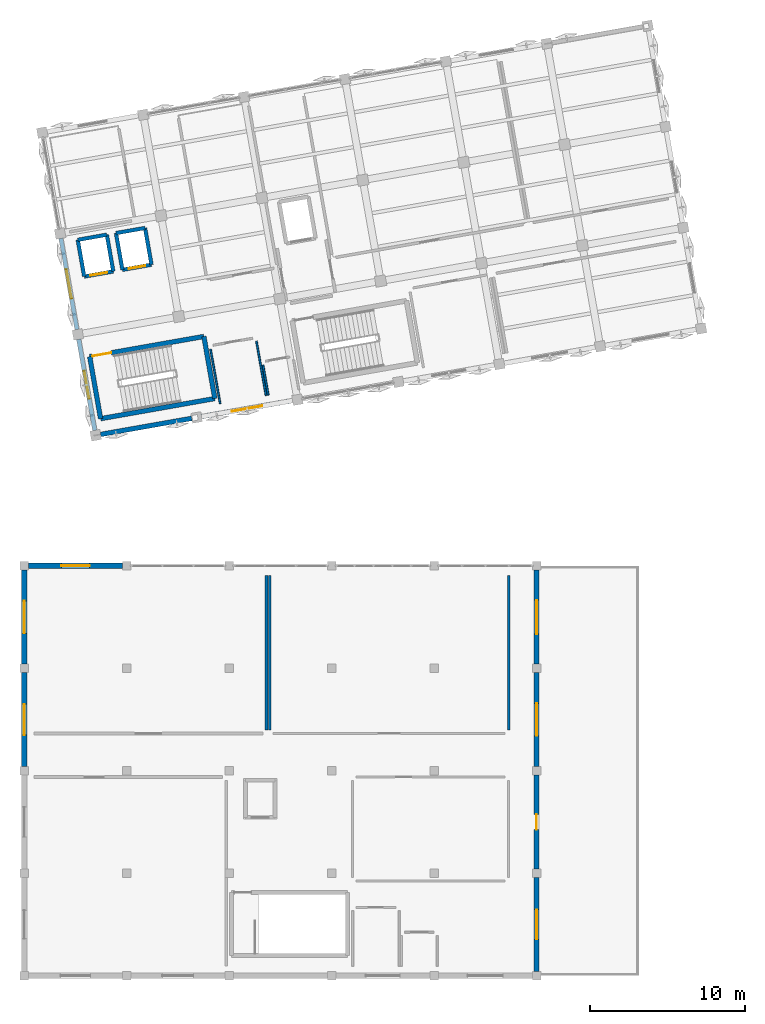
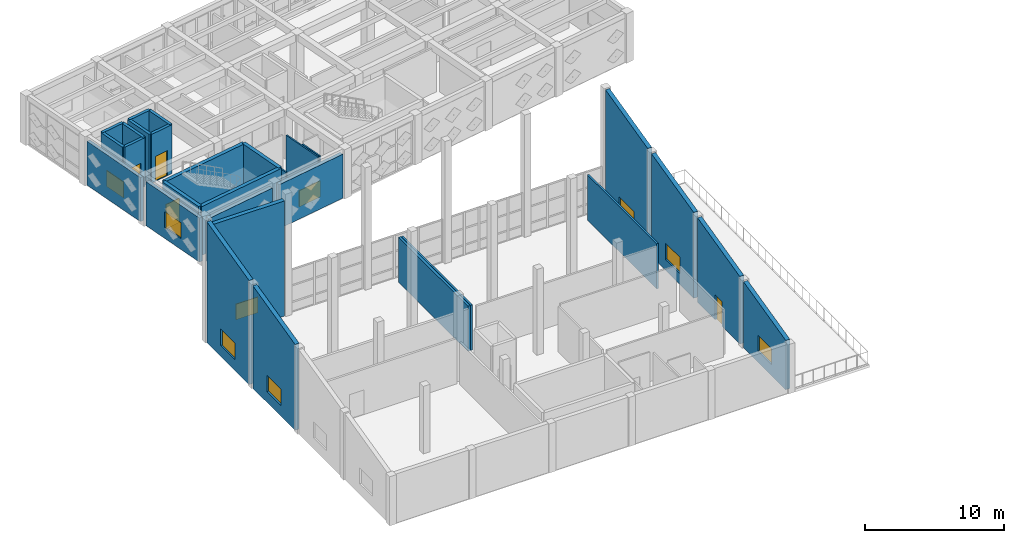
# One storey, part 28 of 39: 29 walls, 9 windows, 4 doors, 13 openings.
"""IFC4 building model written with IfcOpenShell, lengths in metres."""

from ifc_helpers import new_model, si_unit, direction, frame, frame_2d, origin, place, context, subcontext, project, spatial, polyline, rectangle, outline, extrude, material, layer, layer_set, type_object, element, fill, save


model = new_model("IFC4")

# Units and contexts
model_context = context("Model", 3, precision=1e-05, world=origin(), true_north=direction((0.0, 1.0)))
body_context = subcontext(model_context, "Body", "Model", "MODEL_VIEW")
ifc_project = project(units=[si_unit("LENGTHUNIT", "METRE"), si_unit("AREAUNIT", "SQUARE_METRE"), si_unit("VOLUMEUNIT", "CUBIC_METRE"), si_unit("PLANEANGLEUNIT", "RADIAN"), si_unit("MASSUNIT", "GRAM", prefix="KILO")], contexts=[model_context])

# Site, building, storey
site_placement = place(None, origin())
site = spatial("IfcSite", under=ifc_project, at=site_placement, CompositionType="ELEMENT")
building_placement = place(site_placement, origin())
building = spatial("IfcBuilding", under=site, at=building_placement, Name="Kharisveld Research Institute", CompositionType="ELEMENT")
storey_placement = place(building_placement, frame((0.0, 0.0, 18.60009765625)))
storey = spatial("IfcBuildingStorey", under=building, at=storey_placement, Name="L04", CompositionType="ELEMENT", Elevation=18.60009765625)

# Walls
ifc_material_1 = material(Name="Flush Pharmaceutical Panel", Category="mineral")
ifc_layer_1 = layer(ifc_material_1, 0.155029296875)
ifc_layer_set_1 = layer_set([ifc_layer_1], Name="WL_CLN_155")
wall_type_1 = type_object("IfcWallType", Name="WL_CLN_155", PredefinedType="PARTITIONING", material=ifc_layer_set_1)
for number, where, z_axis, x_axis, name in (
    (1, (31.800048828125, 16.02001953125, 0.0), (0.0, 0.0, 1.0), (0.0, 1.0, 0.0), "WL:RM:V3:L04:BSL:E"),
    (2, (16.39990234375, 25.97998046875, 0.0), (0.0, 0.0, 1.0), (0.0, -1.0, 0.0), "WL:RM:V3:L04:BSL:W"),
):
    element("IfcWall", number, at=place(storey_placement, frame(where, z_axis=z_axis, x_axis=x_axis)), inside=storey, type_object=wall_type_1, Name=name, PredefinedType="PARTITIONING", context=body_context, shape_type="SweptSolid", body=[
        extrude(rectangle(XDim=9.9599609375, YDim=0.155029296875, at=frame_2d((4.97998046875, 0.0))), origin(), (0.0, 0.0, 1.0), 3.949951171875),
    ])
ifc_material_2 = material(Name="Concrete C40/50", Category="concrete")
ifc_layer_2 = layer(ifc_material_2, 0.239990234375)
ifc_layer_set_2 = layer_set([ifc_layer_2], Name="WL_CORE_240")
wall_type_2 = type_object("IfcWallType", Name="WL_CORE_240", PredefinedType="SHEAR", material=ifc_layer_set_2)
wall_1_placement = place(storey_placement, frame((4.462890625, 45.2373046875, 0.0), z_axis=(0.0, 0.0, 1.0), x_axis=(-0.173646056486, 0.984808127031, 0.0)))
element("IfcWall", 3, at=wall_1_placement, inside=storey, type_object=wall_type_2, Name="WL:LFT:PL-01:L04:W", PredefinedType="SHEAR", context=body_context, shape_type="SweptSolid", body=[
    extrude(rectangle(XDim=2.39990234375, YDim=0.239990234375, at=frame_2d((1.199951171875, 0.0))), origin(), (0.0, 0.0, 1.0), 4.27978515625),
])
wall_2_placement = place(storey_placement, frame((4.046142578125, 47.600830078125, 0.0), z_axis=(0.0, 0.0, 1.0), x_axis=(0.984793905749, 0.173726691098, 0.0)))
element("IfcWall", 4, at=wall_2_placement, inside=storey, type_object=wall_type_2, Name="WL:LFT:PL-01:L04:N", PredefinedType="SHEAR", context=body_context, shape_type="SweptSolid", body=[
    extrude(rectangle(XDim=1.89990234375, YDim=0.239990234375, at=frame_2d((0.949951171875, 0.0))), origin(), (0.0, 0.0, 1.0), 4.27978515625),
])
wall_3_placement = place(storey_placement, frame((5.917236328125, 47.930908203125, 0.0), z_axis=(0.0, 0.0, 1.0), x_axis=(0.173646056486, -0.984808127031, 0.0)))
element("IfcWall", 5, at=wall_3_placement, inside=storey, type_object=wall_type_2, Name="WL:LFT:PL-01:L04:E", PredefinedType="SHEAR", context=body_context, shape_type="SweptSolid", body=[
    extrude(rectangle(XDim=2.39990234375, YDim=0.239990234375, at=frame_2d((1.199951171875, 0.0))), origin(), (0.0, 0.0, 1.0), 4.27978515625),
])

# Wall, opening, door
wall_4_placement = place(storey_placement, frame((6.333984375, 45.5673828125, 0.0), z_axis=(0.0, 0.0, 1.0), x_axis=(-0.984793905749, -0.173726691098, 0.0)))
wall_4 = element("IfcWall", 6, at=wall_4_placement, inside=storey, type_object=wall_type_2, Name="WL:LFT:PL-01:L04:S", PredefinedType="SHEAR", context=body_context, shape_type="SweptSolid", body=[
    extrude(rectangle(XDim=1.89990234375, YDim=0.239990234375, at=frame_2d((0.949951171875, 0.0))), origin(), (0.0, 0.0, 1.0), 4.27978515625),
])
opening_1_placement = place(wall_4_placement, frame((0.39990234375, 0.0, 0.0)))
opening_1 = element("IfcOpeningElement", 7, at=opening_1_placement, cuts=wall_4, Name="Opening LD-01", PredefinedType="OPENING", context=body_context, shape_type="SweptSolid", body=[
    extrude(rectangle(XDim=1.10009765625, YDim=2.199951171875, at=frame_2d((0.550048828125, 1.10009765625))), frame((0.0, 0.1201171875, 0.0), z_axis=(0.0, -1.0, 0.0), x_axis=(1.0, 0.0, 0.0)), (0.0, 0.0, 1.0), 0.239990234375),
])
ifc_material_3 = material(Name="Flush Painted Hardwood and Anodised Aluminium", Category="wood")
door_type_1 = type_object("IfcDoorType", Name="DR_LFT_110", OperationType="SLIDING_TO_LEFT", PredefinedType="DOOR", material=ifc_material_3)
door_1_placement = place(opening_1_placement, origin())
door_1 = element("IfcDoor", 8, at=door_1_placement, inside=storey, type_object=door_type_1, Name="PL-01 Lift Landing Door L04", OperationType="SLIDING_TO_LEFT", OverallHeight=2.199951171875, OverallWidth=1.10009765625, PredefinedType="DOOR", context=body_context, shape_type="SweptSolid", body=[
    extrude(rectangle(XDim=1.10009765625, YDim=2.199951171875, at=frame_2d((0.550048828125, 1.10009765625))), frame((0.0, 0.02490234375, 0.0), z_axis=(0.0, -1.0, 0.0), x_axis=(1.0, 0.0, 0.0)), (0.0, 0.0, 1.0), 0.050048828125),
])
fill(opening_1, door_1)

# Walls
wall_5_placement = place(storey_placement, frame((6.9248046875, 45.67138671875, 0.0), z_axis=(0.0, 0.0, 1.0), x_axis=(-0.173646056486, 0.984808127031, 0.0)))
element("IfcWall", 9, at=wall_5_placement, inside=storey, type_object=wall_type_2, Name="WL:LFT:PL-02:L04:W", PredefinedType="SHEAR", context=body_context, shape_type="SweptSolid", body=[
    extrude(rectangle(XDim=2.39990234375, YDim=0.239990234375, at=frame_2d((1.199951171875, 0.0))), origin(), (0.0, 0.0, 1.0), 4.27978515625),
])
wall_6_placement = place(storey_placement, frame((6.508056640625, 48.034912109375, 0.0), z_axis=(0.0, 0.0, 1.0), x_axis=(0.984793905749, 0.173726691098, 0.0)))
element("IfcWall", 10, at=wall_6_placement, inside=storey, type_object=wall_type_2, Name="WL:LFT:PL-02:L04:N", PredefinedType="SHEAR", context=body_context, shape_type="SweptSolid", body=[
    extrude(rectangle(XDim=1.89990234375, YDim=0.239990234375, at=frame_2d((0.949951171875, 0.0))), origin(), (0.0, 0.0, 1.0), 4.27978515625),
])
wall_7_placement = place(storey_placement, frame((8.379150390625, 48.364990234375, 0.0), z_axis=(0.0, 0.0, 1.0), x_axis=(0.173646056486, -0.984808127031, 0.0)))
element("IfcWall", 11, at=wall_7_placement, inside=storey, type_object=wall_type_2, Name="WL:LFT:PL-02:L04:E", PredefinedType="SHEAR", context=body_context, shape_type="SweptSolid", body=[
    extrude(rectangle(XDim=2.39990234375, YDim=0.239990234375, at=frame_2d((1.199951171875, 0.0))), origin(), (0.0, 0.0, 1.0), 4.27978515625),
])

# Wall, opening, door
wall_8_placement = place(storey_placement, frame((8.7958984375, 46.00146484375, 0.0), z_axis=(0.0, 0.0, 1.0), x_axis=(-0.984793905749, -0.173726691098, 0.0)))
wall_8 = element("IfcWall", 12, at=wall_8_placement, inside=storey, type_object=wall_type_2, Name="WL:LFT:PL-02:L04:S", PredefinedType="SHEAR", context=body_context, shape_type="SweptSolid", body=[
    extrude(rectangle(XDim=1.89990234375, YDim=0.239990234375, at=frame_2d((0.949951171875, 0.0))), origin(), (0.0, 0.0, 1.0), 4.27978515625),
])
opening_2_placement = place(wall_8_placement, frame((0.39990234375, 0.0, 0.0)))
opening_2 = element("IfcOpeningElement", 13, at=opening_2_placement, cuts=wall_8, Name="Opening LD-01", PredefinedType="OPENING", context=body_context, shape_type="SweptSolid", body=[
    extrude(rectangle(XDim=1.10009765625, YDim=2.199951171875, at=frame_2d((0.550048828125, 1.10009765625))), frame((0.0, 0.1201171875, 0.0), z_axis=(0.0, -1.0, 0.0), x_axis=(1.0, 0.0, 0.0)), (0.0, 0.0, 1.0), 0.239990234375),
])
door_2_placement = place(opening_2_placement, origin())
door_2 = element("IfcDoor", 14, at=door_2_placement, inside=storey, type_object=door_type_1, Name="PL-02 Lift Landing Door L04", OperationType="SLIDING_TO_LEFT", OverallHeight=2.199951171875, OverallWidth=1.10009765625, PredefinedType="DOOR", context=body_context, shape_type="SweptSolid", body=[
    extrude(rectangle(XDim=1.10009765625, YDim=2.199951171875, at=frame_2d((0.550048828125, 1.10009765625))), frame((0.0, 0.02490234375, 0.0), z_axis=(0.0, -1.0, 0.0), x_axis=(1.0, 0.0, 0.0)), (0.0, 0.0, 1.0), 0.050048828125),
])
fill(opening_2, door_2)

# Wall
ifc_material_4 = material(Name="Concrete C40/50", Category="concrete")
ifc_layer_3 = layer(ifc_material_4, 0.300048828125)
ifc_layer_set_3 = layer_set([ifc_layer_3], Name="WL_CORE_300")
wall_type_3 = type_object("IfcWallType", Name="WL_CORE_300", PredefinedType="SHEAR", material=ifc_layer_set_3)
wall_9_placement = place(storey_placement, frame((5.518798828125, 36.08154296875, 0.0), z_axis=(0.0, 0.0, 1.0), x_axis=(-0.173665267602, 0.984804739443, 0.0)))
element("IfcWall", 15, at=wall_9_placement, inside=storey, type_object=wall_type_3, Name="WL:STR:ST1:L04:W", PredefinedType="SHEAR", context=body_context, shape_type="SweptSolid", body=[
    extrude(rectangle(XDim=4.06005859375, YDim=0.300048828125, at=frame_2d((2.030029296875, 0.0))), origin(), (0.0, 0.0, 1.0), 4.27978515625),
])

# Wall, opening, door
wall_10_placement = place(storey_placement, frame((4.813720703125, 40.079833984375, 0.0), z_axis=(0.0, 0.0, 1.0), x_axis=(0.984802636214, 0.173677193974, 0.0)))
wall_10 = element("IfcWall", 16, at=wall_10_placement, inside=storey, type_object=wall_type_3, Name="WL:STR:ST1:L04:N", PredefinedType="SHEAR", context=body_context, shape_type="SweptSolid", body=[
    extrude(rectangle(XDim=7.469970703125, YDim=0.300048828125, at=frame_2d((3.73486328125, 0.0))), origin(), (0.0, 0.0, 1.0), 4.27978515625),
])
opening_3_placement = place(wall_10_placement, frame((0.179931640625, 0.0, 0.0)))
opening_3 = element("IfcOpeningElement", 17, at=opening_3_placement, cuts=wall_10, Name="Opening DS-006", PredefinedType="OPENING", context=body_context, shape_type="SweptSolid", body=[
    extrude(rectangle(XDim=1.239990234375, YDim=2.14990234375, at=frame_2d((0.6201171875, 1.074951171875))), frame((0.0, 0.14990234375, 0.0), z_axis=(0.0, -1.0, 0.0), x_axis=(1.0, 0.0, 0.0)), (0.0, 0.0, 1.0), 0.300048828125),
])
ifc_material_5 = material(Name="Flush Painted Hardwood and Anodised Aluminium", Category="wood")
door_type_2 = type_object("IfcDoorType", Name="DR_FD60_124", OperationType="NOTDEFINED", PredefinedType="DOOR", material=ifc_material_5)
door_3_placement = place(opening_3_placement, origin())
door_3 = element("IfcDoor", 18, at=door_3_placement, inside=storey, type_object=door_type_2, Name="DR:STR:ST1:L04", OperationType="SINGLE_SWING_LEFT", OverallHeight=2.14990234375, OverallWidth=1.239990234375, PredefinedType="DOOR", context=body_context, shape_type="SweptSolid", body=[
    extrude(rectangle(XDim=1.239990234375, YDim=2.14990234375, at=frame_2d((0.6201171875, 1.074951171875))), frame((0.0, 0.02490234375, 0.0), z_axis=(0.0, -1.0, 0.0), x_axis=(1.0, 0.0, 0.0)), (0.0, 0.0, 1.0), 0.050048828125),
])
fill(opening_3, door_3)

# Walls
wall_11_placement = place(storey_placement, frame((12.170166015625, 41.377197265625, 0.0), z_axis=(0.0, 0.0, 1.0), x_axis=(0.173654983803, -0.984806552883, 0.0)))
element("IfcWall", 19, at=wall_11_placement, inside=storey, type_object=wall_type_3, Name="WL:STR:ST1:L04:E", PredefinedType="SHEAR", context=body_context, shape_type="SweptSolid", body=[
    extrude(rectangle(XDim=4.060302734375, YDim=0.300048828125, at=frame_2d((2.0302734375, 0.0))), origin(), (0.0, 0.0, 1.0), 4.27978515625),
])
wall_12_placement = place(storey_placement, frame((12.875244140625, 37.378662109375, 0.0), z_axis=(0.0, 0.0, 1.0), x_axis=(-0.984808225754, -0.173645496596, 0.0)))
element("IfcWall", 20, at=wall_12_placement, inside=storey, type_object=wall_type_3, Name="WL:STR:ST1:L04:S", PredefinedType="SHEAR", context=body_context, shape_type="SweptSolid", body=[
    extrude(rectangle(XDim=7.469970703125, YDim=0.300048828125, at=frame_2d((3.73486328125, 0.0))), origin(), (0.0, 0.0, 1.0), 4.27978515625),
])

# Wall, opening, window
ifc_material_6 = material(Name="Precast Concrete C40/50 Thermal Wall", Category="concrete")
ifc_layer_4 = layer(ifc_material_6, 0.260009765625)
ifc_layer_set_4 = layer_set([ifc_layer_4], Name="WL_EXT_260")
wall_type_4 = type_object("IfcWallType", Name="WL_EXT_260", PredefinedType="STANDARD", material=ifc_layer_set_4)
wall_13_placement = place(storey_placement, frame((3.998291015625, 41.824951171875, 0.0), z_axis=(0.0, 0.0, 1.0), x_axis=(-0.173645120828, 0.98480829201, 0.0)))
wall_13 = element("IfcWall", 21, at=wall_13_placement, inside=storey, type_object=wall_type_4, Name="WL:V1:L04:W1", PredefinedType="STANDARD", context=body_context, shape_type="SweptSolid", body=[
    extrude(rectangle(XDim=5.9599609375, YDim=0.260009765625, at=frame_2d((2.97998046875, 0.0))), origin(), (0.0, 0.0, 1.0), 3.85498046875),
])
opening_4_placement = place(wall_13_placement, frame((2.02490234375, 0.0, 0.949951171875)))
opening_4 = element("IfcOpeningElement", 22, at=opening_4_placement, cuts=wall_13, Name="Opening WN-29", PredefinedType="OPENING", context=body_context, shape_type="SweptSolid", body=[
    extrude(rectangle(XDim=1.909912109375, YDim=1.39990234375, at=frame_2d((0.955078125, 0.699951171875))), frame((0.0, 0.1298828125, 0.0), z_axis=(0.0, -1.0, 0.0), x_axis=(1.0, 0.0, 0.0)), (0.0, 0.0, 1.0), 0.260009765625),
])
ifc_material_7 = material(Name="Low-E Double Glazing", Category="glass")
window_type_1 = type_object("IfcWindowType", Name="WN_29", PartitioningType="DOUBLE_PANEL_VERTICAL", PredefinedType="WINDOW", material=ifc_material_7)
window_1_placement = place(opening_4_placement, origin())
window_1 = element("IfcWindow", 23, at=window_1_placement, inside=storey, type_object=window_type_1, Name="WN:V1:L04:W1", OverallHeight=1.39990234375, OverallWidth=1.909912109375, PartitioningType="SINGLE_PANEL", PredefinedType="WINDOW", context=body_context, shape_type="SweptSolid", body=[
    extrude(rectangle(XDim=1.909912109375, YDim=1.39990234375, at=frame_2d((0.955078125, 0.699951171875))), frame((0.0, 0.030029296875, 0.0), z_axis=(0.0, -1.0, 0.0), x_axis=(1.0, 0.0, 0.0)), (0.0, 0.0, 1.0), 0.06005859375),
])
fill(opening_4, window_1)

ifc_material_8 = material(Name="Precast Concrete C40/50 Thermal Wall", Category="concrete")
ifc_layer_5 = layer(ifc_material_8, 0.27490234375)
ifc_layer_set_5 = layer_set([ifc_layer_5], Name="WL_EXT_275")
wall_type_5 = type_object("IfcWallType", Name="WL_EXT_275", PredefinedType="STANDARD", material=ifc_layer_set_5)
wall_14_placement = place(storey_placement, frame((5.14453125, 35.3251953125, 0.0), z_axis=(0.0, 0.0, 1.0), x_axis=(-0.17368484894, 0.984801286173, 0.0)))
wall_14 = element("IfcWall", 24, at=wall_14_placement, inside=storey, type_object=wall_type_5, Name="WL:V1:L04:W0", PredefinedType="STANDARD", context=body_context, shape_type="SweptSolid", body=[
    extrude(rectangle(XDim=5.9599609375, YDim=0.27490234375, at=frame_2d((2.97998046875, 0.0))), origin(), (0.0, 0.0, 1.0), 3.85498046875),
])
opening_5_placement = place(wall_14_placement, frame((2.070068359375, 0.0, 0.949951171875)))
opening_5 = element("IfcOpeningElement", 25, at=opening_5_placement, cuts=wall_14, Name="Opening WN-28", PredefinedType="OPENING", context=body_context, shape_type="SweptSolid", body=[
    extrude(rectangle(XDim=1.820068359375, YDim=1.3798828125, at=frame_2d((0.91015625, 0.68994140625))), frame((0.0, 0.137451171875, 0.0), z_axis=(0.0, -1.0, 0.0), x_axis=(1.0, 0.0, 0.0)), (0.0, 0.0, 1.0), 0.27490234375),
])
ifc_material_9 = material(Name="Low-E Double Glazing", Category="glass")
window_type_2 = type_object("IfcWindowType", Name="WN_28", PartitioningType="DOUBLE_PANEL_VERTICAL", PredefinedType="WINDOW", material=ifc_material_9)
window_2_placement = place(opening_5_placement, origin())
window_2 = element("IfcWindow", 26, at=window_2_placement, inside=storey, type_object=window_type_2, Name="WN:V1:L04:W0", OverallHeight=1.3798828125, OverallWidth=1.820068359375, PartitioningType="SINGLE_PANEL", PredefinedType="WINDOW", context=body_context, shape_type="SweptSolid", body=[
    extrude(rectangle(XDim=1.820068359375, YDim=1.3798828125, at=frame_2d((0.91015625, 0.68994140625))), frame((0.0, 0.030029296875, 0.0), z_axis=(0.0, -1.0, 0.0), x_axis=(1.0, 0.0, 0.0)), (0.0, 0.0, 1.0), 0.06005859375),
])
fill(opening_5, window_2)

ifc_material_10 = material(Name="Precast Concrete C40/50 Ochre Panel", Category="concrete")
ifc_layer_6 = layer(ifc_material_10, 0.304931640625)
ifc_layer_set_6 = layer_set([ifc_layer_6], Name="WL_EXT_305")
wall_type_6 = type_object("IfcWallType", Name="WL_EXT_305", PredefinedType="STANDARD", material=ifc_layer_set_6)
wall_15_placement = place(storey_placement, frame((17.88427734375, 37.24658203125, 0.0), z_axis=(0.0, 0.0, 1.0), x_axis=(-0.98480829201, -0.173645120828, 0.0)))
wall_15 = element("IfcWall", 27, at=wall_15_placement, inside=storey, type_object=wall_type_6, Name="WL:V1:L04:S2", PredefinedType="STANDARD", context=body_context, shape_type="SweptSolid", body=[
    extrude(rectangle(XDim=5.9599609375, YDim=0.304931640625, at=frame_2d((2.97998046875, 0.0))), origin(), (0.0, 0.0, 1.0), 3.85498046875),
])
opening_6_placement = place(wall_15_placement, frame((1.97998046875, 0.0, 0.949951171875)))
opening_6 = element("IfcOpeningElement", 28, at=opening_6_placement, cuts=wall_15, Name="Opening WN-30", PredefinedType="OPENING", context=body_context, shape_type="SweptSolid", body=[
    extrude(rectangle(XDim=2.0, YDim=1.419921875, at=frame_2d((1.0, 0.7099609375))), frame((0.0, 0.15234375, 0.0), z_axis=(0.0, -1.0, 0.0), x_axis=(1.0, 0.0, 0.0)), (0.0, 0.0, 1.0), 0.304931640625),
])
ifc_material_11 = material(Name="Low-E Double Glazing", Category="glass")
window_type_3 = type_object("IfcWindowType", Name="WN_30", PartitioningType="DOUBLE_PANEL_VERTICAL", PredefinedType="WINDOW", material=ifc_material_11)
window_3_placement = place(opening_6_placement, origin())
window_3 = element("IfcWindow", 29, at=window_3_placement, inside=storey, type_object=window_type_3, Name="WN:V1:L04:S2", OverallHeight=1.419921875, OverallWidth=2.0, PartitioningType="SINGLE_PANEL", PredefinedType="WINDOW", context=body_context, shape_type="SweptSolid", body=[
    extrude(rectangle(XDim=2.0, YDim=1.419921875, at=frame_2d((1.0, 0.7099609375))), frame((0.0, 0.030029296875, 0.0), z_axis=(0.0, -1.0, 0.0), x_axis=(1.0, 0.0, 0.0)), (0.0, 0.0, 1.0), 0.06005859375),
])
fill(opening_6, window_3)

# Wall
wall_16_placement = place(storey_placement, frame((11.384521484375, 36.1005859375, 0.0), z_axis=(0.0, 0.0, 1.0), x_axis=(-0.98480829201, -0.173645120828, 0.0)))
element("IfcWall", 30, at=wall_16_placement, inside=storey, type_object=wall_type_6, Name="WL:V1:L04:S1", PredefinedType="STANDARD", context=body_context, shape_type="SweptSolid", body=[
    extrude(rectangle(XDim=5.9599609375, YDim=0.304931640625, at=frame_2d((2.97998046875, 0.0))), origin(), (0.0, 0.0, 1.0), 3.85498046875),
])

# Wall, opening, window
ifc_material_12 = material(Name="Concrete C35/45", Category="concrete")
ifc_layer_7 = layer(ifc_material_12, 0.340087890625)
ifc_layer_set_7 = layer_set([ifc_layer_7], Name="WL_EXT_340")
wall_type_7 = type_object("IfcWallType", Name="WL_EXT_340", PredefinedType="SOLIDWALL", material=ifc_layer_set_7)
wall_17_placement = place(storey_placement, frame((0.60009765625, 13.669921875, 0.0), z_axis=(0.0, 0.0, 1.0), x_axis=(0.0, 1.0, 0.0)))
wall_17 = element("IfcWall", 31, at=wall_17_placement, inside=storey, type_object=wall_type_7, Name="WL:V3:L04:W2", PredefinedType="SOLIDWALL", context=body_context, shape_type="SweptSolid", body=[
    extrude(outline(polyline([(0.0, 0.0), (6.06005859375, 0.0), (6.06005859375, 8.984375), (0.0, 7.515380859375), (0.0, 0.0)])), frame((0.0, 0.169921875, 0.0), z_axis=(0.0, -1.0, 0.0), x_axis=(1.0, 0.0, 0.0)), (0.0, 0.0, 1.0), 0.340087890625),
])
opening_7_placement = place(wall_17_placement, frame((2.030029296875, 0.0, 0.949951171875)))
opening_7 = element("IfcOpeningElement", 32, at=opening_7_placement, cuts=wall_17, Name="Opening WN-30", PredefinedType="OPENING", context=body_context, shape_type="SweptSolid", body=[
    extrude(rectangle(XDim=2.0, YDim=1.419921875, at=frame_2d((1.0, 0.7099609375))), frame((0.0, 0.169921875, 0.0), z_axis=(0.0, -1.0, 0.0), x_axis=(1.0, 0.0, 0.0)), (0.0, 0.0, 1.0), 0.340087890625),
])
window_4_placement = place(opening_7_placement, origin())
window_4 = element("IfcWindow", 33, at=window_4_placement, inside=storey, type_object=window_type_3, Name="WN:V3:L04:W2", OverallHeight=1.419921875, OverallWidth=2.0, PartitioningType="SINGLE_PANEL", PredefinedType="WINDOW", context=body_context, shape_type="SweptSolid", body=[
    extrude(rectangle(XDim=2.0, YDim=1.419921875, at=frame_2d((1.0, 0.7099609375))), frame((0.0, 0.030029296875, 0.0), z_axis=(0.0, -1.0, 0.0), x_axis=(1.0, 0.0, 0.0)), (0.0, 0.0, 1.0), 0.06005859375),
])
fill(opening_7, window_4)

wall_18_placement = place(storey_placement, frame((0.60009765625, 20.27001953125, 0.0), z_axis=(0.0, 0.0, 1.0), x_axis=(0.0, 1.0, 0.0)))
wall_18 = element("IfcWall", 34, at=wall_18_placement, inside=storey, type_object=wall_type_7, Name="WL:V3:L04:W3", PredefinedType="SOLIDWALL", context=body_context, shape_type="SweptSolid", body=[
    extrude(outline(polyline([(0.0, 0.0), (6.06005859375, 0.0), (6.06005859375, 10.58447265625), (0.0, 9.115478515625), (0.0, 0.0)])), frame((0.0, 0.169921875, 0.0), z_axis=(0.0, -1.0, 0.0), x_axis=(1.0, 0.0, 0.0)), (0.0, 0.0, 1.0), 0.340087890625),
])
opening_8_placement = place(wall_18_placement, frame((1.985107421875, 0.0, 0.949951171875)))
opening_8 = element("IfcOpeningElement", 35, at=opening_8_placement, cuts=wall_18, Name="Opening WN-31", PredefinedType="OPENING", context=body_context, shape_type="SweptSolid", body=[
    extrude(rectangle(XDim=2.090087890625, YDim=1.43994140625, at=frame_2d((1.044921875, 0.719970703125))), frame((0.0, 0.169921875, 0.0), z_axis=(0.0, -1.0, 0.0), x_axis=(1.0, 0.0, 0.0)), (0.0, 0.0, 1.0), 0.340087890625),
])
ifc_material_13 = material(Name="Low-E Double Glazing", Category="glass")
window_type_4 = type_object("IfcWindowType", Name="WN_31", PartitioningType="DOUBLE_PANEL_VERTICAL", PredefinedType="WINDOW", material=ifc_material_13)
window_5_placement = place(opening_8_placement, origin())
window_5 = element("IfcWindow", 36, at=window_5_placement, inside=storey, type_object=window_type_4, Name="WN:V3:L04:W3", OverallHeight=1.43994140625, OverallWidth=2.090087890625, PartitioningType="SINGLE_PANEL", PredefinedType="WINDOW", context=body_context, shape_type="SweptSolid", body=[
    extrude(rectangle(XDim=2.090087890625, YDim=1.43994140625, at=frame_2d((1.044921875, 0.719970703125))), frame((0.0, 0.030029296875, 0.0), z_axis=(0.0, -1.0, 0.0), x_axis=(1.0, 0.0, 0.0)), (0.0, 0.0, 1.0), 0.06005859375),
])
fill(opening_8, window_5)

wall_19_placement = place(storey_placement, frame((0.8701171875, 26.60009765625, 0.0), z_axis=(0.0, 0.0, 1.0), x_axis=(1.0, 0.0, 0.0)))
wall_19 = element("IfcWall", 37, at=wall_19_placement, inside=storey, type_object=wall_type_7, Name="WL:V3:L04:N0", PredefinedType="SOLIDWALL", context=body_context, shape_type="SweptSolid", body=[
    extrude(rectangle(XDim=6.059814453125, YDim=0.340087890625, at=frame_2d((3.02978515625, 0.0))), origin(), (0.0, 0.0, 1.0), 10.079833984375),
])
opening_9_placement = place(wall_19_placement, frame((2.1201171875, 0.0, 0.949951171875)))
opening_9 = element("IfcOpeningElement", 38, at=opening_9_placement, cuts=wall_19, Name="Opening WN-28", PredefinedType="OPENING", context=body_context, shape_type="SweptSolid", body=[
    extrude(rectangle(XDim=1.820068359375, YDim=1.3798828125, at=frame_2d((0.91015625, 0.68994140625))), frame((0.0, 0.169921875, 0.0), z_axis=(0.0, -1.0, 0.0), x_axis=(1.0, 0.0, 0.0)), (0.0, 0.0, 1.0), 0.340087890625),
])
window_6_placement = place(opening_9_placement, origin())
window_6 = element("IfcWindow", 39, at=window_6_placement, inside=storey, type_object=window_type_2, Name="WN:V3:L04:N0", OverallHeight=1.3798828125, OverallWidth=1.820068359375, PartitioningType="SINGLE_PANEL", PredefinedType="WINDOW", context=body_context, shape_type="SweptSolid", body=[
    extrude(rectangle(XDim=1.820068359375, YDim=1.3798828125, at=frame_2d((0.91015625, 0.68994140625))), frame((0.0, 0.030029296875, 0.0), z_axis=(0.0, -1.0, 0.0), x_axis=(1.0, 0.0, 0.0)), (0.0, 0.0, 1.0), 0.06005859375),
])
fill(opening_9, window_6)

wall_20_placement = place(storey_placement, frame((33.60009765625, 26.330078125, 0.0), z_axis=(0.0, 0.0, 1.0), x_axis=(0.0, -1.0, 0.0)))
wall_20 = element("IfcWall", 40, at=wall_20_placement, inside=storey, type_object=wall_type_7, Name="WL:V3:L04:E4", PredefinedType="SOLIDWALL", context=body_context, shape_type="SweptSolid", body=[
    extrude(outline(polyline([(0.0, 0.0), (6.06005859375, 0.0), (6.06005859375, 9.115478515625), (0.0, 10.58447265625), (0.0, 0.0)])), frame((0.0, 0.169921875, 0.0), z_axis=(0.0, -1.0, 0.0), x_axis=(1.0, 0.0, 0.0)), (0.0, 0.0, 1.0), 0.340087890625),
])
opening_10_placement = place(wall_20_placement, frame((1.93994140625, 0.0, 0.949951171875)))
opening_10 = element("IfcOpeningElement", 41, at=opening_10_placement, cuts=wall_20, Name="Opening WN-32", PredefinedType="OPENING", context=body_context, shape_type="SweptSolid", body=[
    extrude(rectangle(XDim=2.179931640625, YDim=1.4599609375, at=frame_2d((1.08984375, 0.72998046875))), frame((0.0, 0.169921875, 0.0), z_axis=(0.0, -1.0, 0.0), x_axis=(1.0, 0.0, 0.0)), (0.0, 0.0, 1.0), 0.340087890625),
])
ifc_material_14 = material(Name="Low-E Double Glazing", Category="glass")
window_type_5 = type_object("IfcWindowType", Name="WN_32", PartitioningType="DOUBLE_PANEL_VERTICAL", PredefinedType="WINDOW", material=ifc_material_14)
window_7_placement = place(opening_10_placement, origin())
window_7 = element("IfcWindow", 42, at=window_7_placement, inside=storey, type_object=window_type_5, Name="WN:V3:L04:E4", OverallHeight=1.4599609375, OverallWidth=2.179931640625, PartitioningType="SINGLE_PANEL", PredefinedType="WINDOW", context=body_context, shape_type="SweptSolid", body=[
    extrude(rectangle(XDim=2.179931640625, YDim=1.4599609375, at=frame_2d((1.08984375, 0.72998046875))), frame((0.0, 0.030029296875, 0.0), z_axis=(0.0, -1.0, 0.0), x_axis=(1.0, 0.0, 0.0)), (0.0, 0.0, 1.0), 0.06005859375),
])
fill(opening_10, window_7)

wall_21_placement = place(storey_placement, frame((33.60009765625, 19.72998046875, 0.0), z_axis=(0.0, 0.0, 1.0), x_axis=(0.0, -1.0, 0.0)))
wall_21 = element("IfcWall", 43, at=wall_21_placement, inside=storey, type_object=wall_type_7, Name="WL:V3:L04:E3", PredefinedType="SOLIDWALL", context=body_context, shape_type="SweptSolid", body=[
    extrude(outline(polyline([(0.0, 0.0), (6.06005859375, 0.0), (6.06005859375, 7.515380859375), (0.0, 8.984375), (0.0, 0.0)])), frame((0.0, 0.169921875, 0.0), z_axis=(0.0, -1.0, 0.0), x_axis=(1.0, 0.0, 0.0)), (0.0, 0.0, 1.0), 0.340087890625),
])
opening_11_placement = place(wall_21_placement, frame((1.985107421875, 0.0, 0.949951171875)))
opening_11 = element("IfcOpeningElement", 44, at=opening_11_placement, cuts=wall_21, Name="Opening WN-31", PredefinedType="OPENING", context=body_context, shape_type="SweptSolid", body=[
    extrude(rectangle(XDim=2.090087890625, YDim=1.43994140625, at=frame_2d((1.044921875, 0.719970703125))), frame((0.0, 0.169921875, 0.0), z_axis=(0.0, -1.0, 0.0), x_axis=(1.0, 0.0, 0.0)), (0.0, 0.0, 1.0), 0.340087890625),
])
window_8_placement = place(opening_11_placement, origin())
window_8 = element("IfcWindow", 45, at=window_8_placement, inside=storey, type_object=window_type_4, Name="WN:V3:L04:E3", OverallHeight=1.43994140625, OverallWidth=2.090087890625, PartitioningType="SINGLE_PANEL", PredefinedType="WINDOW", context=body_context, shape_type="SweptSolid", body=[
    extrude(rectangle(XDim=2.090087890625, YDim=1.43994140625, at=frame_2d((1.044921875, 0.719970703125))), frame((0.0, 0.030029296875, 0.0), z_axis=(0.0, -1.0, 0.0), x_axis=(1.0, 0.0, 0.0)), (0.0, 0.0, 1.0), 0.06005859375),
])
fill(opening_11, window_8)

# Wall, opening, door
wall_22_placement = place(storey_placement, frame((33.60009765625, 13.1298828125, 0.0), z_axis=(0.0, 0.0, 1.0), x_axis=(0.0, -1.0, 0.0)))
wall_22 = element("IfcWall", 46, at=wall_22_placement, inside=storey, type_object=wall_type_7, Name="WL:V3:L04:E2", PredefinedType="SOLIDWALL", context=body_context, shape_type="SweptSolid", body=[
    extrude(outline(polyline([(0.0, 0.0), (6.059814453125, 0.0), (6.06005859375, 5.915283203125), (0.0, 7.384521484375), (0.0, 0.0)])), frame((0.0, 0.169921875, 0.0), z_axis=(0.0, -1.0, 0.0), x_axis=(1.0, 0.0, 0.0)), (0.0, 0.0, 1.0), 0.340087890625),
])
opening_12_placement = place(wall_22_placement, frame((2.5400390625, 0.0, 0.0)))
opening_12 = element("IfcOpeningElement", 47, at=opening_12_placement, cuts=wall_22, Name="Opening DE-117", PredefinedType="OPENING", context=body_context, shape_type="SweptSolid", body=[
    extrude(rectangle(XDim=0.97998046875, YDim=2.14990234375, at=frame_2d((0.489990234375, 1.074951171875))), frame((0.0, 0.169921875, 0.0), z_axis=(0.0, -1.0, 0.0), x_axis=(1.0, 0.0, 0.0)), (0.0, 0.0, 1.0), 0.340087890625),
])
ifc_material_15 = material(Name="Thermally Broken Powder-Coated Aluminium", Category="aluminium")
door_type_3 = type_object("IfcDoorType", Name="DR_EXT_098", OperationType="NOTDEFINED", PredefinedType="DOOR", material=ifc_material_15)
door_4_placement = place(opening_12_placement, origin())
door_4 = element("IfcDoor", 48, at=door_4_placement, inside=storey, type_object=door_type_3, Name="DR:V3:L04:TER_E2", OperationType="SINGLE_SWING_RIGHT", OverallHeight=2.14990234375, OverallWidth=0.97998046875, PredefinedType="DOOR", context=body_context, shape_type="SweptSolid", body=[
    extrude(rectangle(XDim=0.97998046875, YDim=2.14990234375, at=frame_2d((0.489990234375, 1.074951171875))), frame((0.0, 0.02490234375, 0.0), z_axis=(0.0, -1.0, 0.0), x_axis=(1.0, 0.0, 0.0)), (0.0, 0.0, 1.0), 0.050048828125),
])
fill(opening_12, door_4)

# Wall, opening, window
wall_23_placement = place(storey_placement, frame((33.60009765625, 6.530029296875, 0.0), z_axis=(0.0, 0.0, 1.0), x_axis=(0.0, -1.0, 0.0)))
wall_23 = element("IfcWall", 49, at=wall_23_placement, inside=storey, type_object=wall_type_7, Name="WL:V3:L04:E1", PredefinedType="SOLIDWALL", context=body_context, shape_type="SweptSolid", body=[
    extrude(outline(polyline([(0.0, 0.0), (6.06005859375, 0.0), (6.06005859375, 4.3154296875), (0.0, 5.784423828125), (0.0, 0.0)])), frame((0.0, 0.169921875, 0.0), z_axis=(0.0, -1.0, 0.0), x_axis=(1.0, 0.0, 0.0)), (0.0, 0.0, 1.0), 0.340087890625),
])
opening_13_placement = place(wall_23_placement, frame((2.074951171875, 0.0, 0.949951171875)))
opening_13 = element("IfcOpeningElement", 50, at=opening_13_placement, cuts=wall_23, Name="Opening WN-29", PredefinedType="OPENING", context=body_context, shape_type="SweptSolid", body=[
    extrude(rectangle(XDim=1.909912109375, YDim=1.39990234375, at=frame_2d((0.955078125, 0.699951171875))), frame((0.0, 0.169921875, 0.0), z_axis=(0.0, -1.0, 0.0), x_axis=(1.0, 0.0, 0.0)), (0.0, 0.0, 1.0), 0.340087890625),
])
window_9_placement = place(opening_13_placement, origin())
window_9 = element("IfcWindow", 51, at=window_9_placement, inside=storey, type_object=window_type_1, Name="WN:V3:L04:E1", OverallHeight=1.39990234375, OverallWidth=1.909912109375, PartitioningType="SINGLE_PANEL", PredefinedType="WINDOW", context=body_context, shape_type="SweptSolid", body=[
    extrude(rectangle(XDim=1.909912109375, YDim=1.39990234375, at=frame_2d((0.955078125, 0.699951171875))), frame((0.0, 0.030029296875, 0.0), z_axis=(0.0, -1.0, 0.0), x_axis=(1.0, 0.0, 0.0)), (0.0, 0.0, 1.0), 0.06005859375),
])
fill(opening_13, window_9)

# Walls
ifc_material_16 = material(Name="Concrete C35/45", Category="concrete")
ifc_layer_8 = layer(ifc_material_16, 0.199951171875)
ifc_layer_set_8 = layer_set([ifc_layer_8], Name="WL_SHF_200")
wall_type_8 = type_object("IfcWallType", Name="WL_SHF_200", PredefinedType="SOLIDWALL", material=ifc_layer_set_8)
wall_24_placement = place(storey_placement, frame((16.199951171875, 16.02001953125, 0.0), z_axis=(0.0, 0.0, 1.0), x_axis=(0.0, 1.0, 0.0)))
element("IfcWall", 52, at=wall_24_placement, inside=storey, type_object=wall_type_8, Name="WL:RM:V3:L04:PLN:E", PredefinedType="SOLIDWALL", context=body_context, shape_type="SweptSolid", body=[
    extrude(rectangle(XDim=9.9599609375, YDim=0.199951171875, at=frame_2d((4.97998046875, 0.0))), origin(), (0.0, 0.0, 1.0), 3.949951171875),
])
ifc_material_17 = material(Name="Moisture-Resistant Partition", Category="mineral")
ifc_layer_9 = layer(ifc_material_17, 0.114990234375)
ifc_layer_set_9 = layer_set([ifc_layer_9], Name="WL_WC_115")
wall_type_9 = type_object("IfcWallType", Name="WL_WC_115", PredefinedType="PARTITIONING", material=ifc_layer_set_9)
for number, where, z_axis, x_axis, name in (
    (53, (16.17138671875, 37.57421875, 0.0), (0.0, 0.0, 1.0), (-0.173644490041, 0.984808403233, 0.0), "WL:RM:V1:L04:WCM:E"),
    (54, (12.598876953125, 40.55908203125, 0.0), (0.0, 0.0, 1.0), (0.173644490041, -0.984808403233, 0.0), "WL:RM:V1:L04:WCM:W"),
):
    element("IfcWall", number, at=place(storey_placement, frame(where, z_axis=z_axis, x_axis=x_axis)), inside=storey, type_object=wall_type_9, Name=name, PredefinedType="PARTITIONING", context=body_context, shape_type="SweptSolid", body=[
        extrude(rectangle(XDim=3.56005859375, YDim=0.114990234375, at=frame_2d((1.780029296875, 0.0))), origin(), (0.0, 0.0, 1.0), 3.949951171875),
    ])
wall_25_placement = place(storey_placement, frame((15.978759765625, 39.5302734375, 0.0), z_axis=(0.0, 0.0, 1.0), x_axis=(0.173643211285, -0.984808628706, 0.0)))
element("IfcWall", 55, at=wall_25_placement, inside=storey, type_object=wall_type_9, Name="WL:RM:V1:L04:WCA:W", PredefinedType="PARTITIONING", context=body_context, shape_type="SweptSolid", body=[
    extrude(rectangle(XDim=1.9599609375, YDim=0.114990234375, at=frame_2d((0.97998046875, 0.0))), origin(), (0.0, 0.0, 1.0), 3.949951171875),
])

save(model, "model.ifc")
